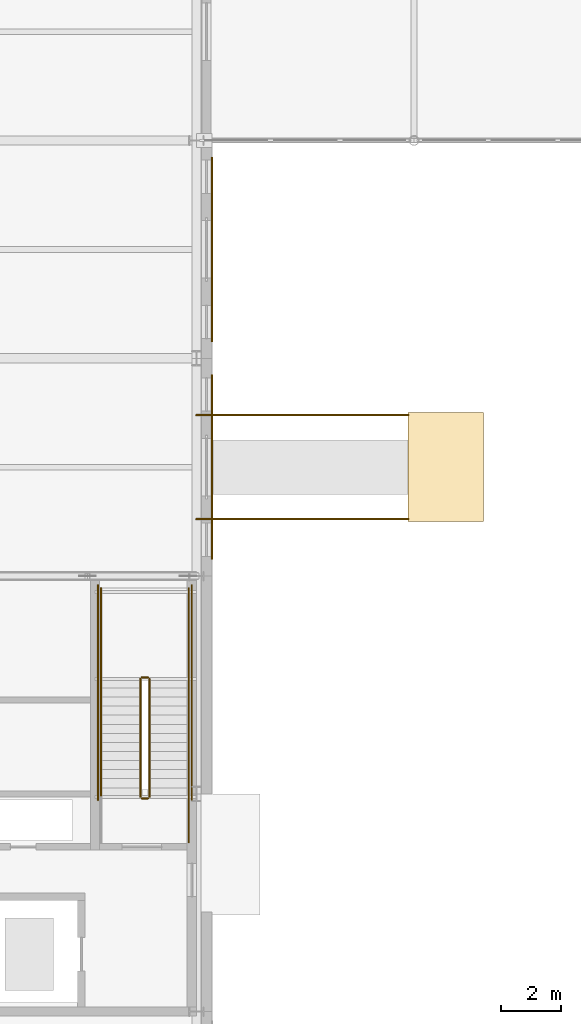
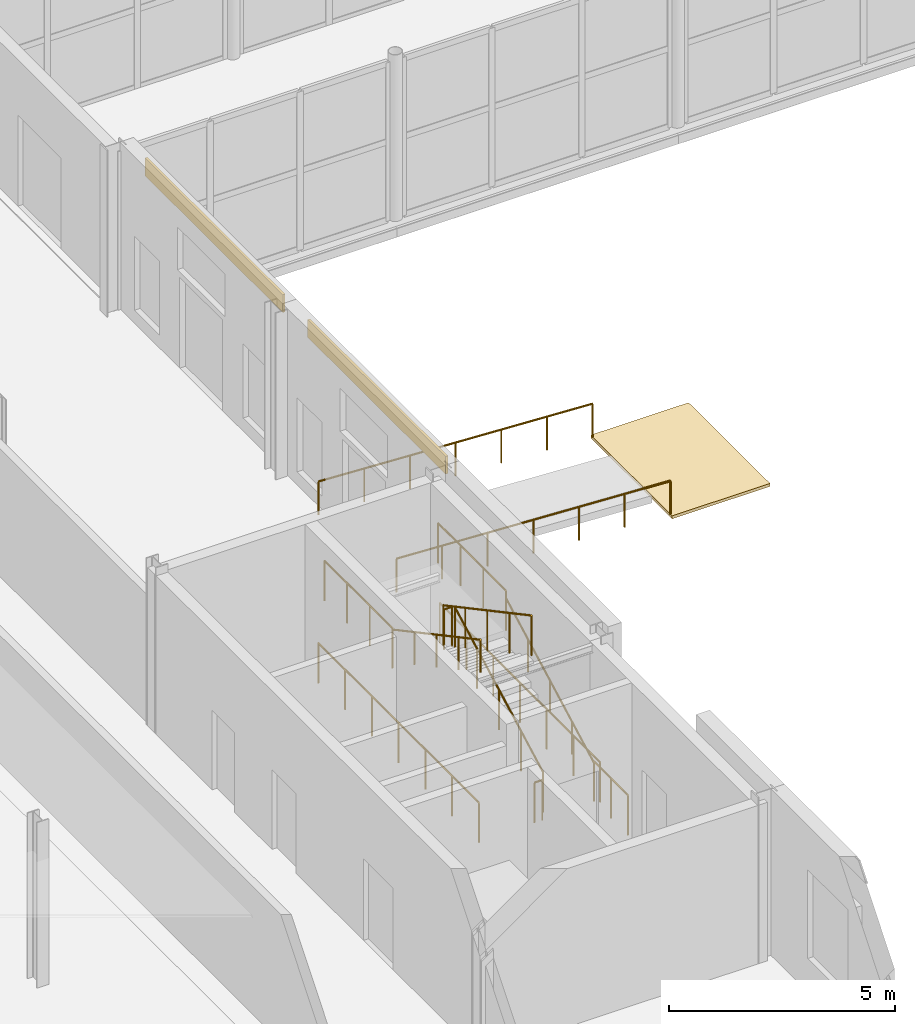
# One storey, part 80 of 92: 13 railings, 3 coverings.
"""IFC4 building model written with IfcOpenShell, lengths in metres."""

from ifc_helpers import new_model, si_unit, direction, frame, origin, origin_2d, place, context, subcontext, project, spatial, polyline, rectangle, circle, outline, extrude, material, layer, layer_set, type_object, element, save


model = new_model("IFC4")

# Units and contexts
model_context = context("Model", 3, precision=1e-05, world=origin(), true_north=direction((0.0, 1.0)))
body_context = subcontext(model_context, "Body", "Model", "MODEL_VIEW")
ifc_project = project(units=[si_unit("LENGTHUNIT", "METRE"), si_unit("AREAUNIT", "SQUARE_METRE"), si_unit("VOLUMEUNIT", "CUBIC_METRE"), si_unit("PLANEANGLEUNIT", "RADIAN"), si_unit("MASSUNIT", "GRAM", prefix="KILO")], contexts=[model_context])

# Site, building, storey
site_placement = place(None, origin())
site = spatial("IfcSite", under=ifc_project, at=site_placement, CompositionType="ELEMENT")
building_placement = place(site_placement, origin())
building = spatial("IfcBuilding", under=site, at=building_placement, Name="Zlatovets Crest Museum", CompositionType="ELEMENT")
storey_placement = place(building_placement, origin())
storey = spatial("IfcBuildingStorey", under=building, at=storey_placement, Name="L00", CompositionType="ELEMENT", Elevation=0.0)

# Coverings
ifc_material_1 = material(Name="Polychrome turquoise-gold glazed majolica ceramic frieze")
ifc_layer_1 = layer(ifc_material_1, 0.0400390625)
ifc_layer_set_1 = layer_set([ifc_layer_1], Name="Polychrome turquoise-gold glazed majolica ceramic frieze")
covering_type_1 = type_object("IfcCoveringType", Name="MajolicaFrieze_CL01", PredefinedType="CLADDING", material=ifc_layer_set_1)
for number, where, z_axis, x_axis, name in (
    (1, (36.52001953125, 75.60009765625, 3.81005859375), (0.0, 0.0, 1.0), (0.0, 1.0, 0.0), "Art Nouveau Portal Secession Archivolt Crown"),
    (2, (36.52001953125, 82.800048828125, 3.81005859375), (0.0, 0.0, 1.0), (0.0, 1.0, 0.0), "Art Nouveau Portal Secession Archivolt Crown"),
):
    element("IfcCovering", number, at=place(storey_placement, frame(where, z_axis=z_axis, x_axis=x_axis)), inside=storey, type_object=covering_type_1, Name=name, PredefinedType="CLADDING", context=body_context, shape_type="SweptSolid", body=[
        extrude(rectangle(XDim=6.10009765625, YDim=0.06005859375, at=origin_2d()), origin(), (0.0, 0.0, 1.0), 0.47998046875),
    ])

# Railings
ifc_material_2 = material(Name="Brushed bronze tubular handrail")
railing_type_1 = type_object("IfcRailingType", Name="RampRail_HR02", PredefinedType="HANDRAIL", material=ifc_material_2)
for number, where, name in (
    (3, (43.0, 73.8798828125, -0.35009765625), "West Court Step-Free Ramp Handrail 1"),
    (4, (43.0, 77.320068359375, -0.35009765625), "West Court Step-Free Ramp Handrail 2"),
):
    element("IfcRailing", number, at=place(storey_placement, frame(where)), inside=storey, type_object=railing_type_1, Name=name, PredefinedType="HANDRAIL", context=body_context, shape_type="SweptSolid", body=[
        extrude(circle(Radius=0.02392578125, at=origin_2d()), frame((0.0, 0.0, 0.89599609375), z_axis=(-0.998751643845, 0.0, 0.049951515669), x_axis=(0.0, -1.0, 0.0)), (0.0, 0.0, 1.0), 7.0087890625),
        extrude(circle(Radius=0.02099609375, at=origin_2d()), origin(), (0.0, 0.0, 1.0), 0.871826171875),
        extrude(circle(Radius=0.02099609375, at=origin_2d()), frame((-1.166748046875, 0.0, 0.058349609375)), (0.0, 0.0, 1.0), 0.871826171875),
        extrude(circle(Radius=0.02099609375, at=origin_2d()), frame((-2.333251953125, 0.0, 0.11669921875)), (0.0, 0.0, 1.0), 0.871826171875),
        extrude(circle(Radius=0.02099609375, at=origin_2d()), frame((-3.5, 0.0, 0.175048828125)), (0.0, 0.0, 1.0), 0.871826171875),
        extrude(circle(Radius=0.02099609375, at=origin_2d()), frame((-4.666748046875, 0.0, 0.2333984375)), (0.0, 0.0, 1.0), 0.871826171875),
        extrude(circle(Radius=0.02099609375, at=origin_2d()), frame((-5.833251953125, 0.0, 0.291748046875)), (0.0, 0.0, 1.0), 0.871826171875),
        extrude(circle(Radius=0.02099609375, at=origin_2d()), frame((-7.0, 0.0, 0.35009765625)), (0.0, 0.0, 1.0), 0.871826171875),
    ])

# Covering
ifc_material_3 = material(Name="Bush-hammered Vratsa stone court paving", Category="masonry")
ifc_layer_2 = layer(ifc_material_3, 0.080078125)
ifc_layer_set_2 = layer_set([ifc_layer_2], Name="Bush-hammered Vratsa stone court paving")
covering_type_2 = type_object("IfcCoveringType", Name="SitePaving_PV01", PredefinedType="USERDEFINED", material=ifc_layer_set_2)
covering_placement = place(storey_placement, frame((0.0, 0.0, -0.429931640625)))
element("IfcCovering", 5, at=covering_placement, inside=storey, type_object=covering_type_2, Name="West Court Step-Free Ramp Approach Paving", ObjectType="PAVING", PredefinedType="USERDEFINED", context=body_context, shape_type="SweptSolid", body=[
    extrude(outline(polyline([(45.5, 73.800048828125), (45.5, 77.39990234375), (43.0, 77.39990234375), (43.0, 73.800048828125), (45.5, 73.800048828125)])), origin(), (0.0, 0.0, 1.0), 0.079833984375),
])

# Railings
ifc_material_4 = material(Name="Painted steel safety guardrail", Category="steel")
railing_type_2 = type_object("IfcRailingType", Name="StairGuard_SG01", PredefinedType="GUARDRAIL", material=ifc_material_4)
railing_1_placement = place(storey_placement, frame((34.449951171875, 64.699951171875, 0.16064453125)))
element("IfcRailing", 6, at=railing_1_placement, inside=storey, type_object=railing_type_2, Name="L00 ST4 stair guard 1", PredefinedType="GUARDRAIL", context=body_context, shape_type="SweptSolid", body=[
    extrude(circle(Radius=0.02392578125, at=origin_2d()), frame((0.0, 0.0, 1.076171875), z_axis=(0.0, 0.881480790326, 0.47221988129), x_axis=(-1.0, 0.0, 0.0)), (0.0, 0.0, 1.0), 4.424560546875),
    extrude(circle(Radius=0.02099609375, at=origin_2d()), origin(), (0.0, 0.0, 1.0), 1.052001953125),
    extrude(circle(Radius=0.02099609375, at=origin_2d()), frame((0.0, 0.97509765625, 0.5224609375)), (0.0, 0.0, 1.0), 1.052001953125),
    extrude(circle(Radius=0.02099609375, at=origin_2d()), frame((0.0, 1.9501953125, 1.044677734375)), (0.0, 0.0, 1.0), 1.052001953125),
    extrude(circle(Radius=0.02099609375, at=origin_2d()), frame((0.0, 2.925048828125, 1.56689453125)), (0.0, 0.0, 1.0), 1.052001953125),
    extrude(circle(Radius=0.02099609375, at=origin_2d()), frame((0.0, 3.900146484375, 2.08935546875)), (0.0, 0.0, 1.0), 1.052001953125),
])
railing_2_placement = place(storey_placement, frame((34.39990234375, 68.64990234375, 2.25)))
element("IfcRailing", 7, at=railing_2_placement, inside=storey, type_object=railing_type_2, Name="L00 ST4 stair guard 2", PredefinedType="GUARDRAIL", context=body_context, shape_type="SweptSolid", body=[
    extrude(circle(Radius=0.02392578125, at=origin_2d()), frame((0.0, 0.0, 1.076171875), z_axis=(-1.0, 0.0, 0.0), x_axis=(0.0, -1.0, 0.0)), (0.0, 0.0, 1.0), 0.199951171875),
    extrude(circle(Radius=0.02099609375, at=origin_2d()), origin(), (0.0, 0.0, 1.0), 1.052001953125),
    extrude(circle(Radius=0.02099609375, at=origin_2d()), frame((-0.199951171875, 0.0, 0.0)), (0.0, 0.0, 1.0), 1.052001953125),
])
for number, where, name in (
    (8, (35.75, 68.60009765625, 2.25), "L00 ST4 stair guard 3"),
    (9, (32.85009765625, 68.60009765625, 2.25), "L00 ST4 stair guard 4"),
):
    element("IfcRailing", number, at=place(storey_placement, frame(where)), inside=storey, type_object=railing_type_2, Name=name, PredefinedType="GUARDRAIL", context=body_context, shape_type="SweptSolid", body=[
        extrude(circle(Radius=0.02392578125, at=origin_2d()), frame((0.0, 0.0, 1.076171875), z_axis=(0.0, 1.0, 0.0), x_axis=(-1.0, 0.0, 0.0)), (0.0, 0.0, 1.0), 3.0),
        extrude(circle(Radius=0.02099609375, at=origin_2d()), origin(), (0.0, 0.0, 1.0), 1.052001953125),
        extrude(circle(Radius=0.02099609375, at=origin_2d()), frame((0.0, 1.0, 0.0)), (0.0, 0.0, 1.0), 1.052001953125),
        extrude(circle(Radius=0.02099609375, at=origin_2d()), frame((0.0, 2.0, 0.0)), (0.0, 0.0, 1.0), 1.052001953125),
        extrude(circle(Radius=0.02099609375, at=origin_2d()), frame((0.0, 3.0, 0.0)), (0.0, 0.0, 1.0), 1.052001953125),
    ])
railing_3_placement = place(storey_placement, frame((34.14990234375, 68.60009765625, 2.41064453125)))
element("IfcRailing", 10, at=railing_3_placement, inside=storey, type_object=railing_type_2, Name="L00 ST4 stair guard 5", PredefinedType="GUARDRAIL", context=body_context, shape_type="SweptSolid", body=[
    extrude(circle(Radius=0.02392578125, at=origin_2d()), frame((0.0, 0.0, 1.076171875), z_axis=(0.0, -0.881480790326, 0.47221988129), x_axis=(1.0, 0.0, 0.0)), (0.0, 0.0, 1.0), 4.424560546875),
    extrude(circle(Radius=0.02099609375, at=origin_2d()), origin(), (0.0, 0.0, 1.0), 1.052001953125),
    extrude(circle(Radius=0.02099609375, at=origin_2d()), frame((0.0, -0.97509765625, 0.5224609375)), (0.0, 0.0, 1.0), 1.052001953125),
    extrude(circle(Radius=0.02099609375, at=origin_2d()), frame((0.0, -1.9501953125, 1.044677734375)), (0.0, 0.0, 1.0), 1.052001953125),
    extrude(circle(Radius=0.02099609375, at=origin_2d()), frame((0.0, -2.925048828125, 1.56689453125)), (0.0, 0.0, 1.0), 1.052001953125),
    extrude(circle(Radius=0.02099609375, at=origin_2d()), frame((0.0, -3.900146484375, 2.08935546875)), (0.0, 0.0, 1.0), 1.052001953125),
])
railing_4_placement = place(storey_placement, frame((34.39990234375, 64.64990234375, 0.0)))
element("IfcRailing", 11, at=railing_4_placement, inside=storey, type_object=railing_type_2, Name="L00 ST4 stair guard 6", PredefinedType="GUARDRAIL", context=body_context, shape_type="SweptSolid", body=[
    extrude(circle(Radius=0.02392578125, at=origin_2d()), frame((0.0, 0.0, 1.076171875), z_axis=(-1.0, 0.0, 0.0), x_axis=(0.0, -1.0, 0.0)), (0.0, 0.0, 1.0), 0.199951171875),
    extrude(circle(Radius=0.02099609375, at=origin_2d()), origin(), (0.0, 0.0, 1.0), 1.052001953125),
    extrude(circle(Radius=0.02099609375, at=origin_2d()), frame((-0.199951171875, 0.0, 0.0)), (0.0, 0.0, 1.0), 1.052001953125),
])
railing_5_placement = place(storey_placement, frame((35.75, 63.199951171875, 0.0)))
element("IfcRailing", 12, at=railing_5_placement, inside=storey, type_object=railing_type_2, Name="L00 ST4 stair guard 7", PredefinedType="GUARDRAIL", context=body_context, shape_type="SweptSolid", body=[
    extrude(circle(Radius=0.02392578125, at=origin_2d()), frame((0.0, 0.0, 1.076171875), z_axis=(0.0, 1.0, 0.0), x_axis=(-1.0, 0.0, 0.0)), (0.0, 0.0, 1.0), 1.5),
    extrude(circle(Radius=0.02099609375, at=origin_2d()), origin(), (0.0, 0.0, 1.0), 1.052001953125),
    extrude(circle(Radius=0.02099609375, at=origin_2d()), frame((0.0, 0.75, 0.0)), (0.0, 0.0, 1.0), 1.052001953125),
    extrude(circle(Radius=0.02099609375, at=origin_2d()), frame((0.0, 1.5, 0.0)), (0.0, 0.0, 1.0), 1.052001953125),
])
for number, where, name in (
    (13, (35.85009765625, 64.60009765625, 0.0), "L00 ST4 stair guard 9"),
    (14, (32.75, 64.60009765625, 0.0), "L00 ST4 stair guard 10"),
):
    element("IfcRailing", number, at=place(storey_placement, frame(where)), inside=storey, type_object=railing_type_2, Name=name, PredefinedType="GUARDRAIL", context=body_context, shape_type="SweptSolid", body=[
        extrude(circle(Radius=0.02392578125, at=origin_2d()), frame((0.0, 0.0, 1.076171875), z_axis=(0.0, 1.0, 0.0), x_axis=(-1.0, 0.0, 0.0)), (0.0, 0.0, 1.0), 7.099853515625),
        extrude(circle(Radius=0.02099609375, at=origin_2d()), origin(), (0.0, 0.0, 1.0), 1.052001953125),
        extrude(circle(Radius=0.02099609375, at=origin_2d()), frame((0.0, 1.183349609375, 0.0)), (0.0, 0.0, 1.0), 1.052001953125),
        extrude(circle(Radius=0.02099609375, at=origin_2d()), frame((0.0, 2.36669921875, 0.0)), (0.0, 0.0, 1.0), 1.052001953125),
        extrude(circle(Radius=0.02099609375, at=origin_2d()), frame((0.0, 3.5498046875, 0.0)), (0.0, 0.0, 1.0), 1.052001953125),
        extrude(circle(Radius=0.02099609375, at=origin_2d()), frame((0.0, 4.733154296875, 0.0)), (0.0, 0.0, 1.0), 1.052001953125),
        extrude(circle(Radius=0.02099609375, at=origin_2d()), frame((0.0, 5.91650390625, 0.0)), (0.0, 0.0, 1.0), 1.052001953125),
        extrude(circle(Radius=0.02099609375, at=origin_2d()), frame((0.0, 7.099853515625, 0.0)), (0.0, 0.0, 1.0), 1.052001953125),
    ])
ifc_material_5 = material(Name="Brushed bronze stair handrail")
railing_type_3 = type_object("IfcRailingType", Name="StairHandrail_SH01", PredefinedType="HANDRAIL", material=ifc_material_5)
railing_6_placement = place(storey_placement, frame((35.75, 64.699951171875, 0.16064453125)))
element("IfcRailing", 15, at=railing_6_placement, inside=storey, type_object=railing_type_3, Name="L00 ST4 stair handrail 1", PredefinedType="HANDRAIL", context=body_context, shape_type="SweptSolid", body=[
    extrude(circle(Radius=0.02392578125, at=origin_2d()), frame((0.0, 0.0, 0.8759765625), z_axis=(0.0, 0.881480790326, 0.47221988129), x_axis=(-1.0, 0.0, 0.0)), (0.0, 0.0, 1.0), 4.424560546875),
    extrude(circle(Radius=0.02099609375, at=origin_2d()), origin(), (0.0, 0.0, 1.0), 0.851806640625),
    extrude(circle(Radius=0.02099609375, at=origin_2d()), frame((0.0, 0.97509765625, 0.5224609375)), (0.0, 0.0, 1.0), 0.851806640625),
    extrude(circle(Radius=0.02099609375, at=origin_2d()), frame((0.0, 1.9501953125, 1.044677734375)), (0.0, 0.0, 1.0), 0.851806640625),
    extrude(circle(Radius=0.02099609375, at=origin_2d()), frame((0.0, 2.925048828125, 1.56689453125)), (0.0, 0.0, 1.0), 0.851806640625),
    extrude(circle(Radius=0.02099609375, at=origin_2d()), frame((0.0, 3.900146484375, 2.08935546875)), (0.0, 0.0, 1.0), 0.851806640625),
])
railing_7_placement = place(storey_placement, frame((32.85009765625, 68.60009765625, 2.41064453125)))
element("IfcRailing", 16, at=railing_7_placement, inside=storey, type_object=railing_type_3, Name="L00 ST4 stair handrail 2", PredefinedType="HANDRAIL", context=body_context, shape_type="SweptSolid", body=[
    extrude(circle(Radius=0.02392578125, at=origin_2d()), frame((0.0, 0.0, 0.8759765625), z_axis=(0.0, -0.881480790326, 0.47221988129), x_axis=(1.0, 0.0, 0.0)), (0.0, 0.0, 1.0), 4.424560546875),
    extrude(circle(Radius=0.02099609375, at=origin_2d()), origin(), (0.0, 0.0, 1.0), 0.851806640625),
    extrude(circle(Radius=0.02099609375, at=origin_2d()), frame((0.0, -0.97509765625, 0.5224609375)), (0.0, 0.0, 1.0), 0.851806640625),
    extrude(circle(Radius=0.02099609375, at=origin_2d()), frame((0.0, -1.9501953125, 1.044677734375)), (0.0, 0.0, 1.0), 0.851806640625),
    extrude(circle(Radius=0.02099609375, at=origin_2d()), frame((0.0, -2.925048828125, 1.56689453125)), (0.0, 0.0, 1.0), 0.851806640625),
    extrude(circle(Radius=0.02099609375, at=origin_2d()), frame((0.0, -3.900146484375, 2.08935546875)), (0.0, 0.0, 1.0), 0.851806640625),
])

save(model, "model.ifc")
